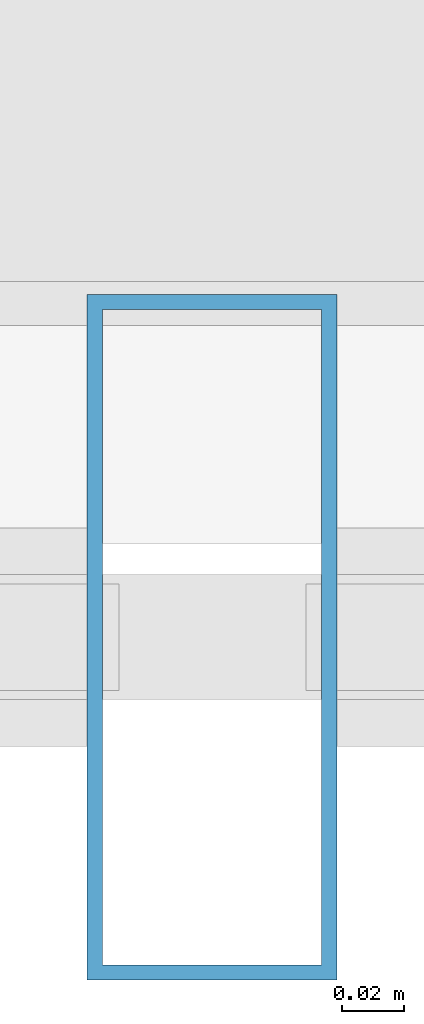
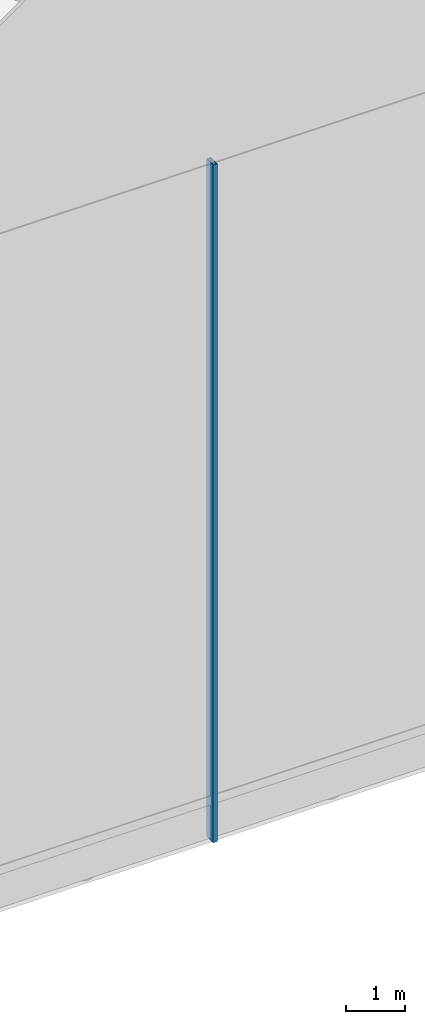
# One storey, part 16 of 42: 1 member, 1 element without a shape of its own.
"""IFC4 building model written with IfcOpenShell, lengths in metres."""

from ifc_helpers import new_model, si_unit, direction, frame, origin, origin_2d, place, context, subcontext, project, spatial, hollow_rectangle, extrude, material, layer, layer_set, material_profile, profile_set, type_object, element, aggregate, save


model = new_model("IFC4")

# Units and contexts
model_context = context("Model", 3, precision=1e-05, world=origin(), true_north=direction((0.0, 1.0)))
body_context = subcontext(model_context, "Body", "Model", "MODEL_VIEW")
ifc_project = project(units=[si_unit("LENGTHUNIT", "METRE"), si_unit("AREAUNIT", "SQUARE_METRE"), si_unit("VOLUMEUNIT", "CUBIC_METRE"), si_unit("PLANEANGLEUNIT", "RADIAN"), si_unit("MASSUNIT", "GRAM", prefix="KILO")], contexts=[model_context])

# Site, building, storey
site_placement = place(None, origin())
site = spatial("IfcSite", under=ifc_project, at=site_placement, CompositionType="ELEMENT")
building_placement = place(site_placement, origin())
building = spatial("IfcBuilding", under=site, at=building_placement, Name="Kallvorn Hotel Tower", CompositionType="ELEMENT")
storey_placement = place(building_placement, frame((0.0, 0.0, 306.0)))
storey = spatial("IfcBuildingStorey", under=building, at=storey_placement, Name="ROOF", CompositionType="ELEMENT", Elevation=306.0)

# Curtain wall, member
ifc_material_1 = material(Name="Thermally broken black-anodised aluminium AA 6063-T6", Category="aluminium")
ifc_layer = layer(ifc_material_1, 0.18994140625)
ifc_layer_set = layer_set([ifc_layer], Name="CW_SYS_7_CROWN_DRUM")
curtain_wall_type = type_object("IfcCurtainWallType", Name="CW_SYS_7_CROWN_DRUM", PredefinedType="USERDEFINED", material=ifc_layer_set)
curtain_wall_placement = place(storey_placement, origin())
curtain_wall = element("IfcCurtainWall", 1, at=curtain_wall_placement, inside=storey, type_object=curtain_wall_type, Name="ROOF Dark-Glass Curtain Wall CW-ROOF-S2", ObjectType="UNITISED CURTAIN WALL", PredefinedType="USERDEFINED")
ifc_material_2 = material(Name="Thermally broken black-anodised aluminium AA 6063-T6", Category="aluminium")
ifc_material_profile = material_profile(ifc_material_2, hollow_rectangle(XDim=0.080078125, YDim=0.219970703125, WallThickness=0.0048828125, at=origin_2d()), Name="MUL 220x80")
ifc_profile_set = profile_set([ifc_material_profile], Name="Thermally broken black-anodised aluminium AA 6063-T6")
member_type = type_object("IfcMemberType", Name="CW_MULLION_220x80", PredefinedType="MULLION", material=ifc_profile_set)
member_placement = place(storey_placement, frame((12.006591796875, -24.25, 0.02001953125), z_axis=(0.0, 0.0, 1.0), x_axis=(1.0, 0.0, 0.0)))
member = element("IfcMember", 2, at=member_placement, type_object=member_type, Name="CW-ROOF-S2 Mullion 02", PredefinedType="MULLION", context=body_context, shape_type="SweptSolid", body=[
    extrude(hollow_rectangle(XDim=0.080078125, YDim=0.219970703125, WallThickness=0.0048828125, at=origin_2d()), origin(), (0.0, 0.0, 1.0), 13.9599609375),
])
aggregate(curtain_wall, [member])

save(model, "model.ifc")
